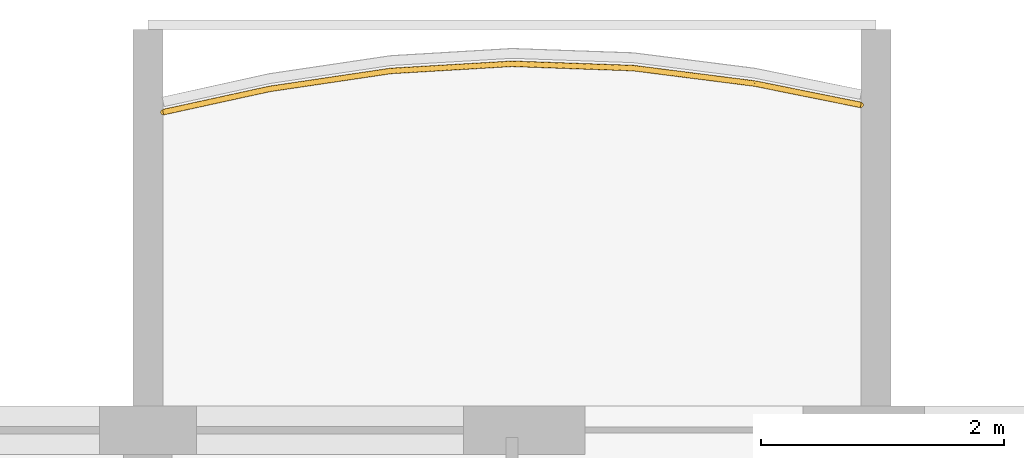
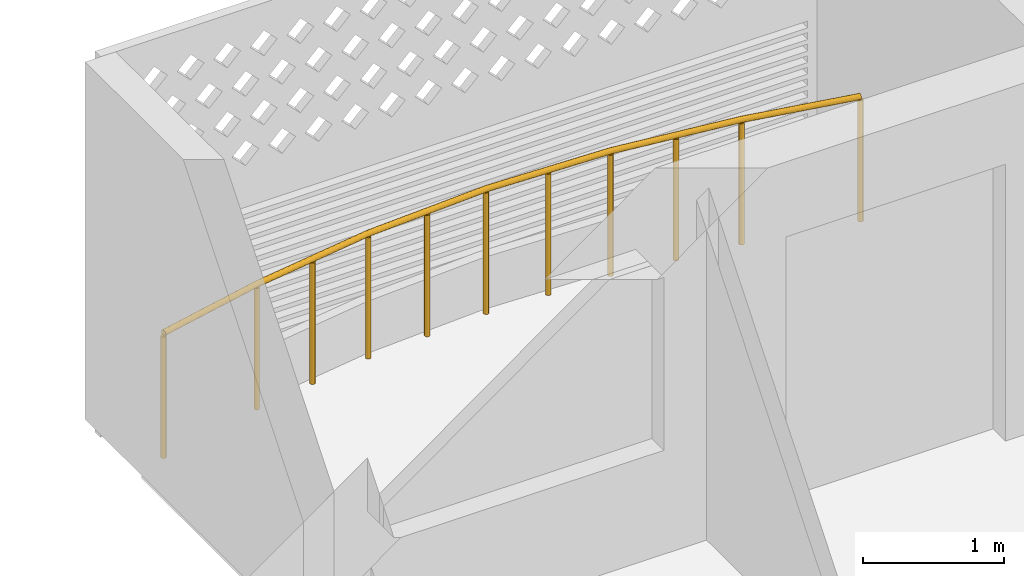
# One storey, part 22 of 38: 1 railing.
"""IFC4 building model written with IfcOpenShell, lengths in metres."""

from ifc_helpers import new_model, si_unit, direction, frame, origin, origin_2d, place, context, subcontext, project, spatial, circle, extrude, material, type_object, element, save


model = new_model("IFC4")

# Units and contexts
model_context = context("Model", 3, precision=1e-05, world=origin(), true_north=direction((0.0, 1.0)))
body_context = subcontext(model_context, "Body", "Model", "MODEL_VIEW")
ifc_project = project(units=[si_unit("LENGTHUNIT", "METRE"), si_unit("AREAUNIT", "SQUARE_METRE"), si_unit("VOLUMEUNIT", "CUBIC_METRE"), si_unit("PLANEANGLEUNIT", "RADIAN"), si_unit("MASSUNIT", "GRAM", prefix="KILO")], contexts=[model_context])

# Site, building, storey
site_placement = place(None, origin())
site = spatial("IfcSite", under=ifc_project, at=site_placement, CompositionType="ELEMENT")
building_placement = place(site_placement, origin())
building = spatial("IfcBuilding", under=site, at=building_placement, Name="Poui Terraces", CompositionType="ELEMENT")
storey_placement = place(building_placement, frame((0.0, 0.0, 43.199951171875)))
storey = spatial("IfcBuildingStorey", under=building, at=storey_placement, Name="L11", CompositionType="ELEMENT", Elevation=43.199951171875)

# Railing
ifc_material = material(Name="Painted steel fretwork", Category="steel")
railing_type = type_object("IfcRailingType", Name="BALCONY GUARD 1100", PredefinedType="GUARDRAIL", material=ifc_material)
railing_placement = place(storey_placement, frame((18.125, 47.42041015625, 0.0)))
element("IfcRailing", 1, at=railing_placement, inside=storey, type_object=railing_type, Name="BALCONY GUARD", PredefinedType="GUARDRAIL", context=body_context, shape_type="SweptSolid", body=[
    extrude(circle(Radius=0.02392578125, at=origin_2d()), frame((0.0, 0.0, 1.076171875), z_axis=(0.97695688845, 0.213436730931, 0.0), x_axis=(-0.213436730931, 0.97695688845, 0.0)), (0.0, 0.0, 1.0), 0.895751953125),
    extrude(circle(Radius=0.02392578125, at=origin_2d()), frame((0.875, 0.191162109375, 1.076171875), z_axis=(0.989161931015, 0.146828724135, 0.0), x_axis=(-0.146828724135, 0.989161931015, 0.0)), (0.0, 0.0, 1.0), 1.010986328125),
    extrude(circle(Radius=0.02392578125, at=origin_2d()), frame((1.875, 0.339599609375, 1.076171875), z_axis=(0.998259212875, 0.058979182011, 0.0), x_axis=(-0.058979182011, 0.998259212875, 0.0)), (0.0, 0.0, 1.0), 1.001708984375),
    extrude(circle(Radius=0.02392578125, at=origin_2d()), frame((2.875, 0.398681640625, 1.076171875), z_axis=(0.999365338401, -0.035621909035, 0.0), x_axis=(0.035621909035, 0.999365338401, 0.0)), (0.0, 0.0, 1.0), 1.000732421875),
    extrude(circle(Radius=0.02392578125, at=origin_2d()), frame((3.875, 0.363037109375, 1.076171875), z_axis=(0.992007284566, -0.126180614077, 0.0), x_axis=(0.126180614077, 0.992007284566, 0.0)), (0.0, 0.0, 1.0), 1.008056640625),
    extrude(circle(Radius=0.02392578125, at=origin_2d()), frame((4.875, 0.23583984375, 1.076171875), z_axis=(0.98030619905, -0.197483559072, 0.0), x_axis=(0.197483559072, 0.98030619905, 0.0)), (0.0, 0.0, 1.0), 0.892578125),
    extrude(circle(Radius=0.02099609375, at=origin_2d()), origin(), (0.0, 0.0, 1.0), 1.052001953125),
    extrude(circle(Radius=0.02099609375, at=origin_2d()), frame((0.875, 0.191162109375, 0.0)), (0.0, 0.0, 1.0), 1.052001953125),
    extrude(circle(Radius=0.02099609375, at=origin_2d()), frame((1.375, 0.265380859375, 0.0)), (0.0, 0.0, 1.0), 1.052001953125),
    extrude(circle(Radius=0.02099609375, at=origin_2d()), frame((1.875, 0.339599609375, 0.0)), (0.0, 0.0, 1.0), 1.052001953125),
    extrude(circle(Radius=0.02099609375, at=origin_2d()), frame((2.375, 0.369140625, 0.0)), (0.0, 0.0, 1.0), 1.052001953125),
    extrude(circle(Radius=0.02099609375, at=origin_2d()), frame((2.875, 0.398681640625, 0.0)), (0.0, 0.0, 1.0), 1.052001953125),
    extrude(circle(Radius=0.02099609375, at=origin_2d()), frame((3.375, 0.380859375, 0.0)), (0.0, 0.0, 1.0), 1.052001953125),
    extrude(circle(Radius=0.02099609375, at=origin_2d()), frame((3.875, 0.363037109375, 0.0)), (0.0, 0.0, 1.0), 1.052001953125),
    extrude(circle(Radius=0.02099609375, at=origin_2d()), frame((4.375, 0.29931640625, 0.0)), (0.0, 0.0, 1.0), 1.052001953125),
    extrude(circle(Radius=0.02099609375, at=origin_2d()), frame((4.875, 0.23583984375, 0.0)), (0.0, 0.0, 1.0), 1.052001953125),
    extrude(circle(Radius=0.02099609375, at=origin_2d()), frame((5.75, 0.0595703125, 0.0)), (0.0, 0.0, 1.0), 1.052001953125),
])

save(model, "model.ifc")
